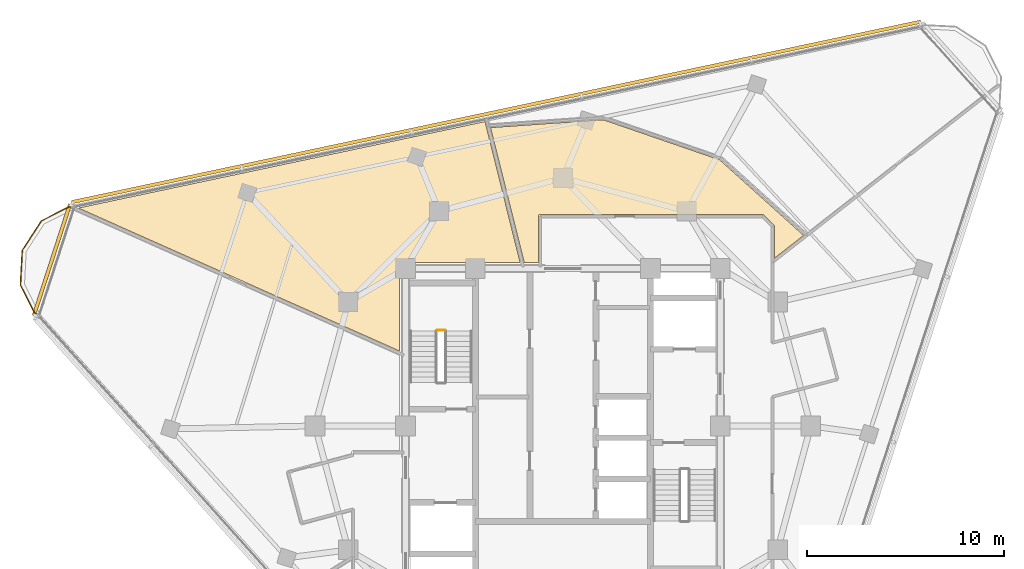
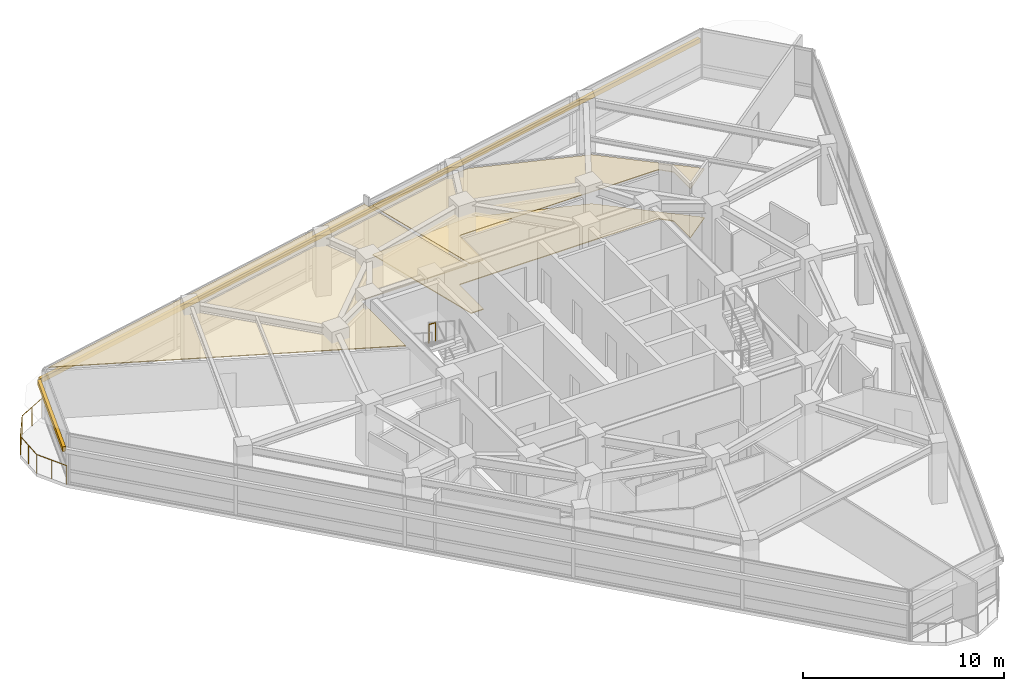
# One storey, part 14 of 15: 3 coverings, 2 railings, 2 shading devices.
"""IFC4 building model written with IfcOpenShell, lengths in metres."""

from ifc_helpers import new_model, si_unit, direction, frame, origin, origin_2d, place, context, subcontext, project, spatial, polyline, rectangle, circle, outline, extrude, material, layer, layer_set, type_object, element, save


model = new_model("IFC4")

# Units and contexts
model_context = context("Model", 3, precision=1e-05, world=origin(), true_north=direction((0.0, 1.0)))
body_context = subcontext(model_context, "Body", "Model", "MODEL_VIEW")
ifc_project = project(units=[si_unit("LENGTHUNIT", "METRE"), si_unit("AREAUNIT", "SQUARE_METRE"), si_unit("VOLUMEUNIT", "CUBIC_METRE"), si_unit("PLANEANGLEUNIT", "RADIAN"), si_unit("MASSUNIT", "GRAM", prefix="KILO")], contexts=[model_context])

# Site, building, storey
site_placement = place(None, origin())
site = spatial("IfcSite", under=ifc_project, at=site_placement, CompositionType="ELEMENT")
building_placement = place(site_placement, origin())
building = spatial("IfcBuilding", under=site, at=building_placement, Name="Terralouvre Media Tower", CompositionType="ELEMENT")
storey_placement = place(building_placement, frame((0.0, 0.0, 286.89990234375)))
storey = spatial("IfcBuildingStorey", under=building, at=storey_placement, Name="L74", CompositionType="ELEMENT", Elevation=286.89990234375)

# Coverings
ifc_material_1 = material(Name="Resilient elastomer acoustic broadcast studio flooring")
ifc_layer_1 = layer(ifc_material_1, 0.050048828125, Name="Broadcast Studio Acoustic Floating Floor FL-AC1")
ifc_layer_set_1 = layer_set([ifc_layer_1], Name="Resilient elastomer acoustic broadcast studio flooring")
covering_type_1 = type_object("IfcCoveringType", Name="Broadcast Studio Acoustic Floating Floor FL-AC1", PredefinedType="FLOORING", material=ifc_layer_set_1)
covering_1_placement = place(storey_placement, frame((0.0, 0.0, 0.0), z_axis=(0.0, 0.0, 1.0), x_axis=(0.309016994375, 0.951056516295, 0.0)))
element("IfcCovering", 1, at=covering_1_placement, inside=storey, type_object=covering_type_1, Name="L74 Media Reference Library 7 Acoustic Floating Floor", PredefinedType="FLOORING", context=body_context, shape_type="SweptSolid", body=[
    extrude(outline(polyline([(9.751953125, 4.482421875), (9.76171875, 4.484130859375), (9.771484375, 4.484619140625), (9.78125, 4.484375), (9.791015625, 4.483154296875), (9.800537109375, 4.48095703125), (9.809814453125, 4.477783203125), (9.81884765625, 4.473876953125), (9.827392578125, 4.468994140625), (9.835205078125, 4.46337890625), (9.8427734375, 4.456787109375), (9.849365234375, 4.44970703125), (9.85546875, 4.44189453125), (9.860595703125, 4.43359375), (9.864990234375, 4.4248046875), (9.868408203125, 4.41552734375), (13.3603515625, -6.331298828125), (13.363037109375, -6.3408203125), (13.364501953125, -6.350341796875), (13.365234375, -6.360107421875), (13.364990234375, -6.3701171875), (13.36376953125, -6.379638671875), (13.361572265625, -6.389404296875), (13.3583984375, -6.398681640625), (13.354248046875, -6.407470703125), (13.033447265625, -7.03759765625), (13.0283203125, -7.046142578125), (13.022705078125, -7.05419921875), (13.016357421875, -7.0615234375), (13.00927734375, -7.068359375), (13.00146484375, -7.07421875), (12.9931640625, -7.07958984375), (12.984375, -7.083740234375), (12.97509765625, -7.08740234375), (11.4306640625, -7.589111328125), (12.990966796875, -8.64208984375), (15.326171875, -3.3974609375), (15.43505859375, 2.861083984375), (13.28515625, 8.182861328125), (7.294921875, 4.4404296875), (7.51708984375, 3.7568359375), (9.742431640625, 4.479736328125), (9.751953125, 4.482421875)])), origin(), (0.0, 0.0, 1.0), 0.050048828125),
])
ifc_material_2 = material(Name="Perforated aluminium acoustic ceiling baffle", Category="aluminium")
ifc_layer_2 = layer(ifc_material_2, 0.0400390625, Name="Perforated Acoustic Metal Tile Ceiling CL-AC1")
ifc_layer_set_2 = layer_set([ifc_layer_2], Name="Perforated aluminium acoustic ceiling baffle")
covering_type_2 = type_object("IfcCoveringType", Name="Perforated Acoustic Metal Tile Ceiling CL-AC1", PredefinedType="CEILING", material=ifc_layer_set_2)
covering_2_placement = place(storey_placement, frame((0.0, 0.0, 2.97998046875), z_axis=(0.0, 0.0, 1.0), x_axis=(0.309016994375, 0.951056516295, 0.0)))
element("IfcCovering", 2, at=covering_2_placement, inside=storey, type_object=covering_type_2, Name="L74 Media Reference Library 7 Acoustic Ceiling", PredefinedType="CEILING", context=body_context, shape_type="SweptSolid", body=[
    extrude(outline(polyline([(9.751953125, 4.482421875), (9.76171875, 4.484130859375), (9.771484375, 4.484619140625), (9.78125, 4.484375), (9.791015625, 4.483154296875), (9.800537109375, 4.48095703125), (9.809814453125, 4.477783203125), (9.81884765625, 4.473876953125), (9.827392578125, 4.468994140625), (9.835205078125, 4.46337890625), (9.8427734375, 4.456787109375), (9.849365234375, 4.44970703125), (9.85546875, 4.44189453125), (9.860595703125, 4.43359375), (9.864990234375, 4.4248046875), (9.868408203125, 4.41552734375), (13.3603515625, -6.331298828125), (13.363037109375, -6.3408203125), (13.364501953125, -6.350341796875), (13.365234375, -6.360107421875), (13.364990234375, -6.3701171875), (13.36376953125, -6.379638671875), (13.361572265625, -6.389404296875), (13.3583984375, -6.398681640625), (13.354248046875, -6.407470703125), (13.033447265625, -7.03759765625), (13.0283203125, -7.046142578125), (13.022705078125, -7.05419921875), (13.016357421875, -7.0615234375), (13.00927734375, -7.068359375), (13.00146484375, -7.07421875), (12.9931640625, -7.07958984375), (12.984375, -7.083740234375), (12.97509765625, -7.08740234375), (11.4306640625, -7.589111328125), (12.990966796875, -8.64208984375), (15.326171875, -3.3974609375), (15.43505859375, 2.861083984375), (13.28515625, 8.182861328125), (7.294921875, 4.4404296875), (7.51708984375, 3.7568359375), (9.742431640625, 4.479736328125), (9.751953125, 4.482421875)])), origin(), (0.0, 0.0, 1.0), 0.0400390625),
])
covering_3_placement = place(storey_placement, frame((0.0, 0.0, 2.97998046875), z_axis=(0.0, 0.0, 1.0), x_axis=(0.309016994375, 0.951056516295, 0.0)))
element("IfcCovering", 3, at=covering_3_placement, inside=storey, type_object=covering_type_2, Name="L74 Periodicals Reading Club 8 Acoustic Ceiling", PredefinedType="CEILING", context=body_context, shape_type="SweptSolid", body=[
    extrude(outline(polyline([(1.0546875, 9.080322265625), (5.240234375, 10.4404296875), (5.249755859375, 10.44287109375), (5.25927734375, 10.444580078125), (5.26904296875, 10.445068359375), (5.279052734375, 10.44482421875), (5.28857421875, 10.443603515625), (5.29833984375, 10.44140625), (5.3076171875, 10.438232421875), (5.316650390625, 10.434326171875), (5.324951171875, 10.429443359375), (5.3330078125, 10.423828125), (5.340576171875, 10.417236328125), (5.34716796875, 10.41015625), (5.353271484375, 10.40234375), (5.3583984375, 10.39404296875), (5.36279296875, 10.38525390625), (5.3662109375, 10.376220703125), (7.231201171875, 4.636474609375), (13.280029296875, 8.415771484375), (13.489990234375, 8.547607421875), (2.922607421875, 26.850341796875), (1.0546875, 9.080322265625)])), origin(), (0.0, 0.0, 1.0), 0.0400390625),
])

# Railings
ifc_material_3 = material(Name="Stainless steel 316 handrail and balustrade", Category="steel")
ifc_layer_3 = layer(ifc_material_3, 0.06005859375, Name="Roof Edge Safety Guardrail GR-ROOF1")
ifc_layer_set_3 = layer_set([ifc_layer_3], Name="Stainless steel 316 handrail and balustrade")
railing_type_1 = type_object("IfcRailingType", Name="Roof Edge Safety Guardrail GR-ROOF1", PredefinedType="GUARDRAIL", material=ifc_layer_set_3)
railing_1_placement = place(storey_placement, frame((-24.927490234375, 11.230224609375, 0.0)))
element("IfcRailing", 4, at=railing_1_placement, inside=storey, type_object=railing_type_1, Name="L74 Wind-Corner Perimeter Safety Guardrail C2", PredefinedType="GUARDRAIL", context=body_context, shape_type="SweptSolid", body=[
    extrude(circle(Radius=0.02099609375, at=origin_2d()), frame((0.0, 0.0, 1.12890625), z_axis=(-0.891111697267, -0.453784026817, 0.0), x_axis=(0.453784026817, -0.891111697267, 0.0)), (0.0, 0.0, 1.0), 1.7802734375),
    extrude(circle(Radius=0.02099609375, at=origin_2d()), frame((-1.58642578125, -0.807861328125, 1.12890625), z_axis=(-0.544752056661, -0.838597160002, 0.0), x_axis=(0.838597160002, -0.544752056661, 0.0)), (0.0, 0.0, 1.0), 1.77978515625),
    extrude(circle(Radius=0.02099609375, at=origin_2d()), frame((-2.555908203125, -2.30029296875, 1.12890625), z_axis=(-0.052126837836, -0.998640472231, 0.0), x_axis=(0.998640472231, -0.052126837836, 0.0)), (0.0, 0.0, 1.0), 1.77978515625),
    extrude(circle(Radius=0.02099609375, at=origin_2d()), frame((-2.648681640625, -4.07763671875, 1.12890625), z_axis=(0.454221597143, -0.890888736425, 0.0), x_axis=(0.890888736425, 0.454221597143, 0.0)), (0.0, 0.0, 1.0), 1.7802734375),
    extrude(circle(Radius=0.01904296875, at=origin_2d()), origin(), (0.0, 0.0, 1.0), 1.10791015625),
    extrude(circle(Radius=0.01904296875, at=origin_2d()), frame((-0.793212890625, -0.40380859375, 0.0)), (0.0, 0.0, 1.0), 1.10791015625),
    extrude(circle(Radius=0.01904296875, at=origin_2d()), frame((-1.58642578125, -0.807861328125, 0.0)), (0.0, 0.0, 1.0), 1.10791015625),
    extrude(circle(Radius=0.01904296875, at=origin_2d()), frame((-2.0712890625, -1.55419921875, 0.0)), (0.0, 0.0, 1.0), 1.10791015625),
    extrude(circle(Radius=0.01904296875, at=origin_2d()), frame((-2.555908203125, -2.30029296875, 0.0)), (0.0, 0.0, 1.0), 1.10791015625),
    extrude(circle(Radius=0.01904296875, at=origin_2d()), frame((-2.602294921875, -3.18896484375, 0.0)), (0.0, 0.0, 1.0), 1.10791015625),
    extrude(circle(Radius=0.01904296875, at=origin_2d()), frame((-2.648681640625, -4.07763671875, 0.0)), (0.0, 0.0, 1.0), 1.10791015625),
    extrude(circle(Radius=0.01904296875, at=origin_2d()), frame((-2.244384765625, -4.87060546875, 0.0)), (0.0, 0.0, 1.0), 1.10791015625),
    extrude(circle(Radius=0.01904296875, at=origin_2d()), frame((-1.840087890625, -5.66357421875, 0.0)), (0.0, 0.0, 1.0), 1.10791015625),
])
ifc_material_4 = material(Name="Stainless steel 316 handrail and balustrade", Category="steel")
ifc_layer_4 = layer(ifc_material_4, 0.050048828125, Name="Stairwell Safety Guardrail GR-INT1")
ifc_layer_set_4 = layer_set([ifc_layer_4], Name="Stainless steel 316 handrail and balustrade")
railing_type_2 = type_object("IfcRailingType", Name="Stairwell Safety Guardrail GR-INT1", PredefinedType="GUARDRAIL", material=ifc_layer_set_4)
railing_2_placement = place(storey_placement, frame((-6.0, 4.8701171875, 1.85009765625)))
element("IfcRailing", 5, at=railing_2_placement, inside=storey, type_object=railing_type_2, Name="L74 ST-01 stair guard 2", PredefinedType="GUARDRAIL", context=body_context, shape_type="SweptSolid", body=[
    extrude(circle(Radius=0.02392578125, at=origin_2d()), frame((0.0, 0.0, 1.1259765625), z_axis=(-1.0, 0.0, 0.0), x_axis=(0.0, -1.0, 0.0)), (0.0, 0.0, 1.0), 0.3798828125),
    extrude(circle(Radius=0.02099609375, at=origin_2d()), origin(), (0.0, 0.0, 1.0), 1.101806640625),
    extrude(circle(Radius=0.02099609375, at=origin_2d()), frame((-0.3798828125, 0.0, 0.0)), (0.0, 0.0, 1.0), 1.101806640625),
])

# Shading devices
ifc_material_5 = material(Name="Extruded terracotta baguette sunshade louvres", Category="masonry")
shading_device_type = type_object("IfcShadingDeviceType", Name="Terracotta Baguette Sunshade Louvre Screen TB-LV1", PredefinedType="USERDEFINED", material=ifc_material_5)
shading_device_1_placement = place(storey_placement, frame((-3.392333984375, 15.959716796875, 2.02392578125), z_axis=(0.0, 0.0, 1.0), x_axis=(-0.978147616145, -0.207911618313, 0.0)))
element("IfcShadingDevice", 6, at=shading_device_1_placement, inside=storey, type_object=shading_device_type, Name="CW-L74-F1 Terracotta Baguette Sunshade Louvre", ObjectType="BAGUETTE", PredefinedType="USERDEFINED", context=body_context, shape_type="SweptSolid", body=[
    extrude(rectangle(XDim=44.1201171875, YDim=0.179931640625, at=origin_2d()), origin(), (0.0, 0.0, 1.0), 0.280029296875),
])
shading_device_2_placement = place(storey_placement, frame((-25.975830078125, 8.440185546875, 2.02392578125), z_axis=(0.0, 0.0, 1.0), x_axis=(-0.30901654693, -0.951056661679, 0.0)))
element("IfcShadingDevice", 7, at=shading_device_2_placement, inside=storey, type_object=shading_device_type, Name="CW-L74-C2 Terracotta Baguette Sunshade Louvre", ObjectType="BAGUETTE", PredefinedType="USERDEFINED", context=body_context, shape_type="SweptSolid", body=[
    extrude(rectangle(XDim=5.958251953125, YDim=0.179931640625, at=origin_2d()), origin(), (0.0, 0.0, 1.0), 0.280029296875),
])

save(model, "model.ifc")
